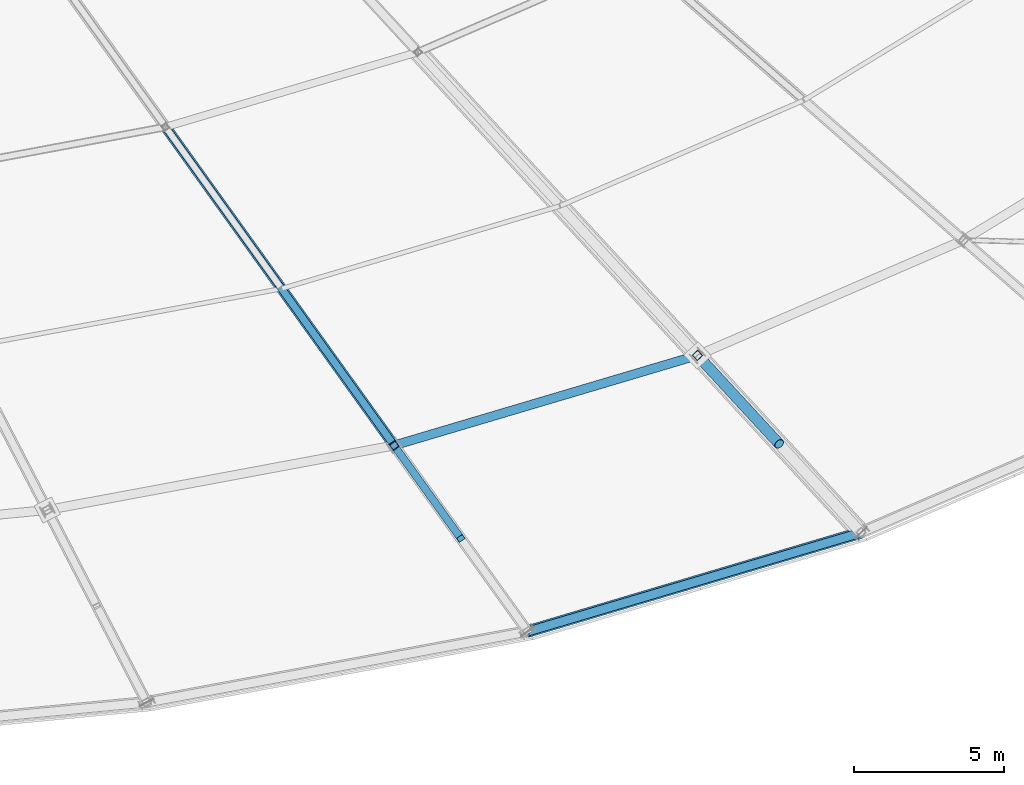
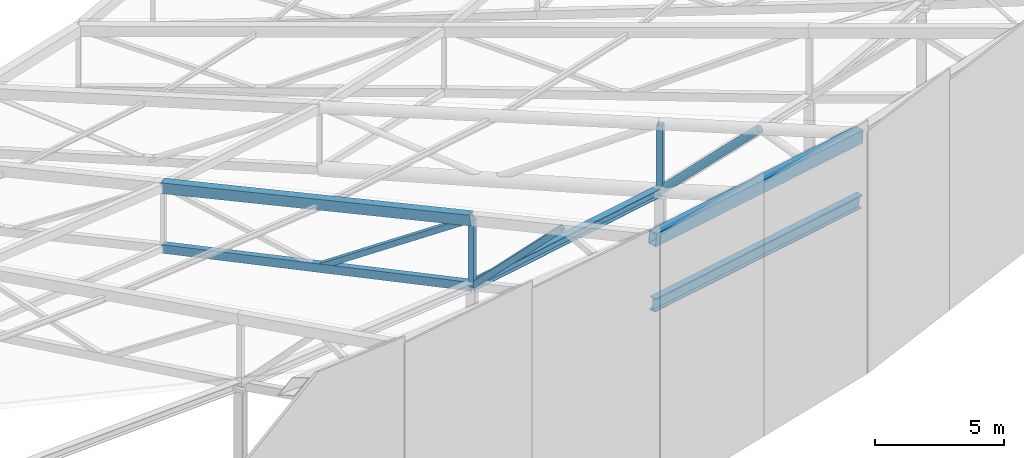
# One storey, part 57 of 143: 5 beams, 5 members.
"""IFC4 building model written with IfcOpenShell, lengths in metres."""

from ifc_helpers import new_model, si_unit, direction, frame, origin, origin_2d, place, context, subcontext, project, spatial, hollow_rectangle, hollow_circle, i_section, extrude, material, material_profile, profile_set, type_object, element, save


model = new_model("IFC4")

# Units and contexts
model_context = context("Model", 3, precision=1e-05, world=origin(), true_north=direction((0.0, 1.0)))
body_context = subcontext(model_context, "Body", "Model", "MODEL_VIEW")
ifc_project = project(units=[si_unit("LENGTHUNIT", "METRE"), si_unit("AREAUNIT", "SQUARE_METRE"), si_unit("VOLUMEUNIT", "CUBIC_METRE"), si_unit("PLANEANGLEUNIT", "RADIAN"), si_unit("MASSUNIT", "GRAM", prefix="KILO")], contexts=[model_context])

# Site, building, storey
site_placement = place(None, origin())
site = spatial("IfcSite", under=ifc_project, at=site_placement, CompositionType="ELEMENT")
building_placement = place(site_placement, origin())
building = spatial("IfcBuilding", under=site, at=building_placement, Name="Mphavela Belvedere Stadium", CompositionType="ELEMENT")
storey_placement = place(building_placement, frame((0.0, 0.0, 28.800048828125)))
storey = spatial("IfcBuildingStorey", under=building, at=storey_placement, Name="RF", CompositionType="ELEMENT", Elevation=28.800048828125)

# Beams
ifc_material_1 = material(Name="Steel S355", Category="steel")
ifc_material_profile_1 = material_profile(ifc_material_1, hollow_rectangle(XDim=0.39990234375, YDim=0.60009765625, WallThickness=0.02001953125, at=origin_2d()), Name="RHS 600x400x20")
ifc_profile_set_1 = profile_set([ifc_material_profile_1], Name="Steel S355")
beam_type_1 = type_object("IfcBeamType", Name="BM-RING-OUT", PredefinedType="BEAM", material=ifc_profile_set_1)
beam_1_placement = place(storey_placement, frame((164.80126953125, 17.60302734375, 12.199951171875), z_axis=(0.95516666064, 0.283530420158, -0.085247587922), x_axis=(-0.284566298727, 0.958656362639, 0.0)))
element("IfcBeam", 1, at=beam_1_placement, inside=storey, type_object=beam_type_1, Name="Perimeter compression ring beam RB-OUT-40", PredefinedType="BEAM", context=body_context, shape_type="SweptSolid", body=[
    extrude(hollow_rectangle(XDim=0.39990234375, YDim=0.60009765625, WallThickness=0.02001953125, at=origin_2d()), origin(), (0.0, 0.0, 1.0), 11.658935546875),
])
ifc_material_2 = material(Name="Steel S355", Category="steel")
ifc_material_profile_2 = material_profile(ifc_material_2, i_section(OverallWidth=0.300048828125, OverallDepth=0.39990234375, WebThickness=0.013427734375, FlangeThickness=0.02392578125, at=origin_2d()), Name="HEB 400")
ifc_profile_set_2 = profile_set([ifc_material_profile_2], Name="Steel S355")
beam_type_2 = type_object("IfcBeamType", Name="BM-STEEL-HEB400", PredefinedType="BEAM", material=ifc_profile_set_2)
beam_2_placement = place(storey_placement, frame((160.337890625, 23.822509765625, 7.791259765625), z_axis=(0.955164116984, 0.283533798976, -0.085264848933), x_axis=(-0.284570111731, 0.958655230784, 0.0)))
element("IfcBeam", 2, at=beam_2_placement, inside=storey, type_object=beam_type_2, Name="Roof bottom-chord tie girder R3-40", PredefinedType="BEAM", context=body_context, shape_type="SweptSolid", body=[
    extrude(i_section(OverallWidth=0.300048828125, OverallDepth=0.39990234375, WebThickness=0.013427734375, FlangeThickness=0.02392578125, at=origin_2d()), origin(), (0.0, 0.0, 1.0), 10.6142578125),
])
ifc_material_3 = material(Name="Steel S355", Category="steel")
ifc_material_profile_3 = material_profile(ifc_material_3, i_section(OverallWidth=0.300048828125, OverallDepth=0.60009765625, WebThickness=0.015380859375, FlangeThickness=0.030029296875, at=origin_2d()), Name="HEB 600")
ifc_profile_set_3 = profile_set([ifc_material_profile_3], Name="Steel S355")
beam_type_3 = type_object("IfcBeamType", Name="BM-STEEL-HEB600", PredefinedType="BEAM", material=ifc_profile_set_3)
beam_3_placement = place(storey_placement, frame((164.80126953125, 17.60302734375, 9.10498046875), z_axis=(0.955164955365, 0.283529913966, -0.085268375899), x_axis=(-0.284566298727, 0.958656362639, 0.0)))
element("IfcBeam", 3, at=beam_3_placement, inside=storey, type_object=beam_type_3, Name="Roof bottom-chord tie girder R4-40", PredefinedType="BEAM", context=body_context, shape_type="SweptSolid", body=[
    extrude(i_section(OverallWidth=0.300048828125, OverallDepth=0.60009765625, WebThickness=0.015380859375, FlangeThickness=0.030029296875, at=origin_2d()), origin(), (0.0, 0.0, 1.0), 11.658935546875),
])
ifc_material_4 = material(Name="Steel S355", Category="steel")
ifc_material_profile_4 = material_profile(ifc_material_4, hollow_rectangle(XDim=0.25, YDim=0.39990234375, WallThickness=0.01611328125, at=origin_2d()), Name="RHS 400x250x16")
ifc_profile_set_4 = profile_set([ifc_material_profile_4], Name="Steel S355")
beam_type_4 = type_object("IfcBeamType", Name="BM-TRUSS-BC2", PredefinedType="BEAM", material=ifc_profile_set_4)
beam_4_placement = place(storey_placement, frame((160.337890625, 23.822509765625, 7.791259765625), z_axis=(-0.576374993034, 0.803150316464, -0.150802641117), x_axis=(-0.812441487165, -0.583042734226, 0.0)))
element("IfcBeam", 4, at=beam_4_placement, inside=storey, type_object=beam_type_4, Name="Radial roof truss RT-40 bottom chord 2", PredefinedType="BEAM", context=body_context, shape_type="SweptSolid", body=[
    extrude(hollow_rectangle(XDim=0.25, YDim=0.39990234375, WallThickness=0.01611328125, at=origin_2d()), origin(), (0.0, 0.0, 1.0), 13.24609375),
])
ifc_material_5 = material(Name="Steel S355", Category="steel")
ifc_material_profile_5 = material_profile(ifc_material_5, hollow_rectangle(XDim=0.35009765625, YDim=0.5, WallThickness=0.02001953125, at=origin_2d()), Name="RHS 500x350x20")
ifc_profile_set_5 = profile_set([ifc_material_profile_5], Name="Steel S355")
beam_type_5 = type_object("IfcBeamType", Name="BM-TRUSS-TC2", PredefinedType="BEAM", material=ifc_profile_set_5)
beam_5_placement = place(storey_placement, frame((160.337890625, 23.822509765625, 10.941162109375), z_axis=(-0.574641541485, 0.800734836651, -0.169147332738), x_axis=(-0.812441487165, -0.583042734226, 0.0)))
element("IfcBeam", 5, at=beam_5_placement, inside=storey, type_object=beam_type_5, Name="Radial roof truss RT-40 top chord 2", PredefinedType="BEAM", context=body_context, shape_type="SweptSolid", body=[
    extrude(hollow_rectangle(XDim=0.35009765625, YDim=0.5, WallThickness=0.02001953125, at=origin_2d()), origin(), (0.0, 0.0, 1.0), 13.2861328125),
])

# Members
ifc_material_6 = material(Name="Steel S355", Category="steel")
ifc_material_profile_6 = material_profile(ifc_material_6, hollow_circle(Radius=0.177734375, WallThickness=0.01611328125, at=origin_2d()), Name="CHS 355.6x16")
ifc_profile_set_6 = profile_set([ifc_material_profile_6], Name="Steel S355")
member_type_1 = type_object("IfcMemberType", Name="MEM-DIAG-355", PredefinedType="BRACE", material=ifc_profile_set_6)
member_1_placement = place(storey_placement, frame((173.206787109375, 23.870361328125, 10.6484375), z_axis=(-0.495376163625, 0.537321909954, -0.682559610287), x_axis=(-0.735221550202, -0.677826874739, 0.0)))
element("IfcMember", 6, at=member_1_placement, inside=storey, type_object=member_type_1, Name="Radial roof truss RT-41 web diagonal D2", PredefinedType="BRACE", context=body_context, shape_type="SweptSolid", body=[
    extrude(hollow_circle(Radius=0.177734375, WallThickness=0.01611328125, at=origin_2d()), origin(), (0.0, 0.0, 1.0), 5.511962890625),
])
ifc_material_7 = material(Name="Steel S355", Category="steel")
ifc_material_profile_7 = material_profile(ifc_material_7, hollow_rectangle(XDim=0.25, YDim=0.25, WallThickness=0.012451171875, at=origin_2d()), Name="SHS 250x250x12.5")
ifc_profile_set_7 = profile_set([ifc_material_profile_7], Name="Steel S355")
member_type_2 = type_object("IfcMemberType", Name="MEM-POST-SHS250", PredefinedType="POST", material=ifc_profile_set_7)
member_2_placement = place(storey_placement, frame((160.337890625, 23.822509765625, 7.791259765625), z_axis=(0.0, 0.0, 1.0), x_axis=(0.582974127943, -0.812490717577, 0.0)))
element("IfcMember", 7, at=member_2_placement, inside=storey, type_object=member_type_2, Name="Radial roof truss RT-40 post P2", PredefinedType="POST", context=body_context, shape_type="SweptSolid", body=[
    extrude(hollow_rectangle(XDim=0.25, YDim=0.25, WallThickness=0.012451171875, at=origin_2d()), origin(), (0.0, 0.0, 1.0), 3.14990234375),
])
member_3_placement = place(storey_placement, frame((162.569580078125, 20.712890625, 11.59814453125), z_axis=(-0.413399603388, 0.576027868762, -0.705189805888), x_axis=(-0.812429871701, -0.583058919465, 0.0)))
element("IfcMember", 8, at=member_3_placement, inside=storey, type_object=member_type_2, Name="Radial roof truss RT-40 web diagonal D2", PredefinedType="POST", context=body_context, shape_type="SweptSolid", body=[
    extrude(hollow_rectangle(XDim=0.25, YDim=0.25, WallThickness=0.012451171875, at=origin_2d()), origin(), (0.0, 0.0, 1.0), 5.3984375),
])
member_4_placement = place(storey_placement, frame((160.337890625, 23.822509765625, 10.941162109375), z_axis=(-0.49248598219, 0.686286586463, -0.535227314873), x_axis=(-0.812454162392, -0.583025071512, 0.0)))
element("IfcMember", 9, at=member_4_placement, inside=storey, type_object=member_type_2, Name="Radial roof truss RT-40 web diagonal D3", PredefinedType="POST", context=body_context, shape_type="SweptSolid", body=[
    extrude(hollow_rectangle(XDim=0.25, YDim=0.25, WallThickness=0.012451171875, at=origin_2d()), origin(), (0.0, 0.0, 1.0), 7.751220703125),
])
member_5_placement = place(storey_placement, frame((170.476318359375, 26.83203125, 6.88623046875), z_axis=(0.0, 0.0, 1.0), x_axis=(0.677903094969, -0.735151272753, 0.0)))
element("IfcMember", 10, at=member_5_placement, inside=storey, type_object=member_type_2, Name="Radial roof truss RT-41 post P2", PredefinedType="POST", context=body_context, shape_type="SweptSolid", body=[
    extrude(hollow_rectangle(XDim=0.25, YDim=0.25, WallThickness=0.012451171875, at=origin_2d()), origin(), (0.0, 0.0, 1.0), 3.14990234375),
])

save(model, "model.ifc")
